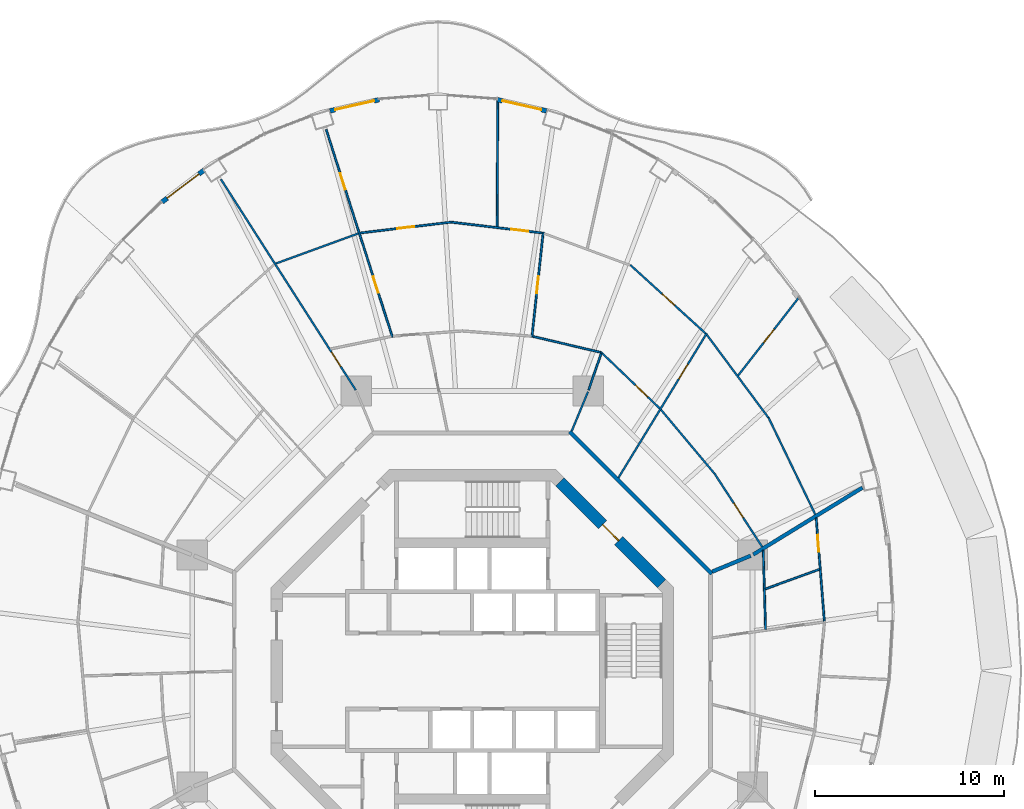
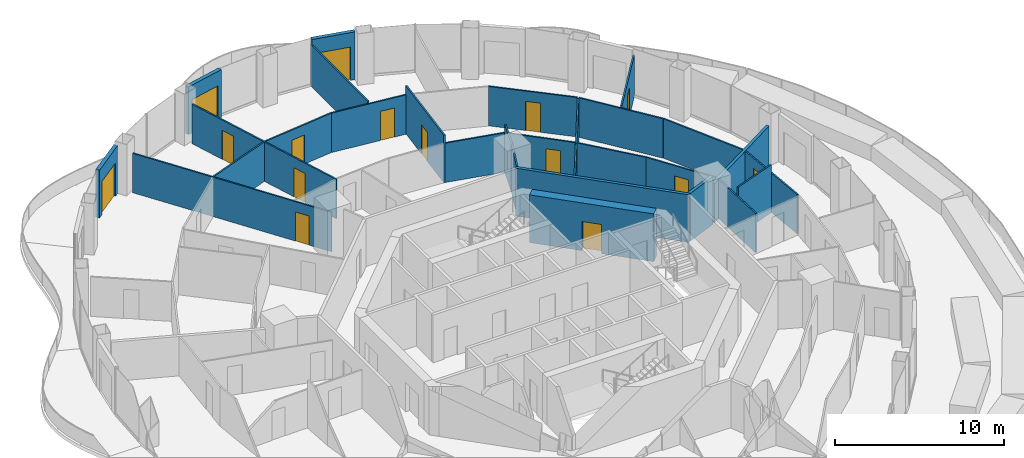
# One storey, part 14 of 18: 28 walls, 16 doors, 16 openings.
"""IFC4 building model written with IfcOpenShell, lengths in metres."""

from ifc_helpers import new_model, si_unit, direction, frame, frame_2d, origin, place, context, subcontext, project, spatial, rectangle, extrude, material, layer, layer_set, type_object, element, fill, save


model = new_model("IFC4")

# Units and contexts
model_context = context("Model", 3, precision=1e-05, world=origin(), true_north=direction((0.0, 1.0)))
body_context = subcontext(model_context, "Body", "Model", "MODEL_VIEW")
ifc_project = project(units=[si_unit("LENGTHUNIT", "METRE"), si_unit("AREAUNIT", "SQUARE_METRE"), si_unit("VOLUMEUNIT", "CUBIC_METRE"), si_unit("PLANEANGLEUNIT", "RADIAN"), si_unit("MASSUNIT", "GRAM", prefix="KILO")], contexts=[model_context])

# Site, building, storey
site_placement = place(None, origin())
site = spatial("IfcSite", under=ifc_project, at=site_placement, CompositionType="ELEMENT")
building_placement = place(site_placement, origin())
building = spatial("IfcBuilding", under=site, at=building_placement, Name="Nagisa Residences", CompositionType="ELEMENT")
storey_placement = place(building_placement, frame((0.0, 0.0, 212.199951171875)))
storey = spatial("IfcBuildingStorey", under=building, at=storey_placement, Name="L53", CompositionType="ELEMENT", Elevation=212.199951171875)

# Walls
ifc_material_1 = material(Name="Gypsum board on steel studs", Category="steel")
ifc_layer_1 = layer(ifc_material_1, 0.199951171875)
ifc_layer_set_1 = layer_set([ifc_layer_1], Name="Apartment compartment wall EI60 200")
wall_type_1 = type_object("IfcWallType", Name="Apartment compartment wall EI60 200", PredefinedType="PARTITIONING", material=ifc_layer_set_1)
wall_1_placement = place(storey_placement, frame((12.6572265625, 5.24267578125, 0.0), z_axis=(0.0, 0.0, 1.0), x_axis=(0.92383017907, 0.382802560388, 0.0)))
element("IfcWall", 1, at=wall_1_placement, inside=storey, type_object=wall_type_1, Name="wall:L53:u00", PredefinedType="PARTITIONING", context=body_context, shape_type="SweptSolid", body=[
    extrude(rectangle(XDim=2.2001953125, YDim=0.199951171875, at=frame_2d((1.10009765625, 0.0))), origin(), (0.0, 0.0, 1.0), 3.43994140625),
])
wall_2_placement = place(storey_placement, frame((14.82470703125, 6.149169921875, 0.0), z_axis=(0.0, 0.0, 1.0), x_axis=(0.852781365284, 0.522268075824, 0.0)))
element("IfcWall", 2, at=wall_2_placement, inside=storey, type_object=wall_type_1, Name="wall:L53:u01", PredefinedType="PARTITIONING", context=body_context, shape_type="SweptSolid", body=[
    extrude(rectangle(XDim=6.758056640625, YDim=0.199951171875, at=frame_2d((3.37890625, 0.0))), origin(), (0.0, 0.0, 1.0), 2.837158203125),
])
ifc_material_2 = material(Name="Gypsum board on steel studs", Category="steel")
ifc_layer_2 = layer(ifc_material_2, 0.199951171875)
ifc_layer_set_2 = layer_set([ifc_layer_2], Name="Apartment entry wall EI60 200")
wall_type_2 = type_object("IfcWallType", Name="Apartment entry wall EI60 200", PredefinedType="PARTITIONING", material=ifc_layer_set_2)
wall_3_placement = place(storey_placement, frame((12.635498046875, 5.1337890625, 0.0), z_axis=(0.0, 0.0, 1.0), x_axis=(-0.707106781187, 0.707106781187, 0.0)))
element("IfcWall", 3, at=wall_3_placement, inside=storey, type_object=wall_type_2, Name="wall:L53:u09", PredefinedType="PARTITIONING", context=body_context, shape_type="SweptSolid", body=[
    extrude(rectangle(XDim=10.609130859375, YDim=0.199951171875, at=frame_2d((5.3046875, 0.0))), origin(), (0.0, 0.0, 1.0), 3.43994140625),
])
ifc_material_3 = material(Name="Gypsum board on steel studs", Category="steel")
ifc_layer_3 = layer(ifc_material_3, 0.10009765625)
ifc_layer_set_3 = layer_set([ifc_layer_3], Name="Apartment partition 100")
wall_type_3 = type_object("IfcWallType", Name="Apartment partition 100", PredefinedType="PARTITIONING", material=ifc_layer_set_3)
wall_4_placement = place(storey_placement, frame((15.474853515625, 2.19970703125, 0.0), z_axis=(0.0, 0.0, 1.0), x_axis=(-0.029254623973, 0.999571991893, 0.0)))
element("IfcWall", 4, at=wall_4_placement, inside=storey, type_object=wall_type_3, Name="wall:L53:u17", PredefinedType="PARTITIONING", context=body_context, shape_type="SweptSolid", body=[
    extrude(rectangle(XDim=4.172607421875, YDim=0.10009765625, at=frame_2d((2.08642578125, 0.0))), origin(), (0.0, 0.0, 1.0), 2.837158203125),
])

# Wall, opening, door
wall_5_placement = place(storey_placement, frame((18.578125, 2.64208984375, 0.0), z_axis=(0.0, 0.0, 1.0), x_axis=(-0.079188322924, 0.996859673932, 0.0)))
wall_5 = element("IfcWall", 5, at=wall_5_placement, inside=storey, type_object=wall_type_3, Name="wall:L53:u18", PredefinedType="PARTITIONING", context=body_context, shape_type="SweptSolid", body=[
    extrude(rectangle(XDim=5.453857421875, YDim=0.10009765625, at=frame_2d((2.72705078125, 0.0))), origin(), (0.0, 0.0, 1.0), 2.837158203125),
])
opening_1_placement = place(wall_5_placement, frame((3.653076171875, 0.0, 0.0)))
opening_1 = element("IfcOpeningElement", 6, at=opening_1_placement, cuts=wall_5, Name="Opening L53-U48", PredefinedType="OPENING", context=body_context, shape_type="SweptSolid", body=[
    extrude(rectangle(XDim=0.89990234375, YDim=2.10009765625, at=frame_2d((0.449951171875, 1.050048828125))), frame((0.0, 0.06005859375, 0.0), z_axis=(0.0, -1.0, 0.0), x_axis=(1.0, 0.0, 0.0)), (0.0, 0.0, 1.0), 0.1201171875),
])
ifc_material_4 = material(Name="Timber door set", Category="wood")
door_type_1 = type_object("IfcDoorType", Name="Apartment door 900x2100", OperationType="NOTDEFINED", PredefinedType="DOOR", material=ifc_material_4)
door_1_placement = place(opening_1_placement, origin())
door_1 = element("IfcDoor", 7, at=door_1_placement, inside=storey, type_object=door_type_1, Name="Door to en-suite bathroom, Apartment 53D", OperationType="SINGLE_SWING_RIGHT", OverallHeight=2.10009765625, OverallWidth=0.89990234375, PredefinedType="DOOR", context=body_context, shape_type="SweptSolid", body=[
    extrude(rectangle(XDim=0.89990234375, YDim=2.10009765625, at=frame_2d((0.449951171875, 1.050048828125))), frame((0.0, 0.02490234375, 0.0), z_axis=(0.0, -1.0, 0.0), x_axis=(1.0, 0.0, 0.0)), (0.0, 0.0, 1.0), 0.050048828125),
])
fill(opening_1, door_1)

# Wall
wall_6_placement = place(storey_placement, frame((15.4599609375, 4.327392578125, 0.0), z_axis=(0.0, 0.0, 1.0), x_axis=(0.939452643938, 0.342678755977, 0.0)))
element("IfcWall", 8, at=wall_6_placement, inside=storey, type_object=wall_type_3, Name="wall:L53:u20", PredefinedType="PARTITIONING", context=body_context, shape_type="SweptSolid", body=[
    extrude(rectangle(XDim=3.037109375, YDim=0.10009765625, at=frame_2d((1.5185546875, 0.0))), origin(), (0.0, 0.0, 1.0), 3.43994140625),
])

# Wall, opening, door
wall_7_placement = place(storey_placement, frame((15.295166015625, 6.554443359375, 0.0), z_axis=(0.0, 0.0, 1.0), x_axis=(-0.545186120363, 0.838315032767, 0.0)))
wall_7 = element("IfcWall", 9, at=wall_7_placement, inside=storey, type_object=wall_type_3, Name="wall:L53:u21", PredefinedType="PARTITIONING", context=body_context, shape_type="SweptSolid", body=[
    extrude(rectangle(XDim=4.642578125, YDim=0.10009765625, at=frame_2d((2.3212890625, 0.0))), origin(), (0.0, 0.0, 1.0), 2.837158203125),
])
opening_2_placement = place(wall_7_placement, frame((1.84619140625, 0.0, 0.0)))
opening_2 = element("IfcOpeningElement", 10, at=opening_2_placement, cuts=wall_7, Name="Opening L53-U19", PredefinedType="OPENING", context=body_context, shape_type="SweptSolid", body=[
    extrude(rectangle(XDim=0.89990234375, YDim=2.10009765625, at=frame_2d((0.449951171875, 1.050048828125))), frame((0.0, 0.06005859375, 0.0), z_axis=(0.0, -1.0, 0.0), x_axis=(1.0, 0.0, 0.0)), (0.0, 0.0, 1.0), 0.1201171875),
])
door_2_placement = place(opening_2_placement, origin())
door_2 = element("IfcDoor", 11, at=door_2_placement, inside=storey, type_object=door_type_1, Name="Door to store, Apartment 53A", OperationType="SINGLE_SWING_LEFT", OverallHeight=2.10009765625, OverallWidth=0.89990234375, PredefinedType="DOOR", context=body_context, shape_type="SweptSolid", body=[
    extrude(rectangle(XDim=0.89990234375, YDim=2.10009765625, at=frame_2d((0.449951171875, 1.050048828125))), frame((0.0, 0.02490234375, 0.0), z_axis=(0.0, -1.0, 0.0), x_axis=(1.0, 0.0, 0.0)), (0.0, 0.0, 1.0), 0.050048828125),
])
fill(opening_2, door_2)

# Walls
wall_8_placement = place(storey_placement, frame((18.094970703125, 8.2685546875, 0.0), z_axis=(0.0, 0.0, 1.0), x_axis=(-0.434640773561, 0.900603907363, 0.0)))
element("IfcWall", 12, at=wall_8_placement, inside=storey, type_object=wall_type_3, Name="wall:L53:u22", PredefinedType="PARTITIONING", context=body_context, shape_type="SweptSolid", body=[
    extrude(rectangle(XDim=5.67431640625, YDim=0.10009765625, at=frame_2d((2.837158203125, 0.0))), origin(), (0.0, 0.0, 1.0), 2.837158203125),
])
wall_9_placement = place(storey_placement, frame((12.75927734375, 10.442626953125, 0.0), z_axis=(0.0, 0.0, 1.0), x_axis=(-0.642225196965, 0.766516011825, 0.0)))
element("IfcWall", 13, at=wall_9_placement, inside=storey, type_object=wall_type_3, Name="wall:L53:u23", PredefinedType="PARTITIONING", context=body_context, shape_type="SweptSolid", body=[
    extrude(rectangle(XDim=4.360595703125, YDim=0.10009765625, at=frame_2d((2.18017578125, 0.0))), origin(), (0.0, 0.0, 1.0), 2.837158203125),
])
wall_10_placement = place(storey_placement, frame((15.62060546875, 13.3740234375, 0.0), z_axis=(0.0, 0.0, 1.0), x_axis=(-0.596174489482, 0.8028548923, 0.0)))
element("IfcWall", 14, at=wall_10_placement, inside=storey, type_object=wall_type_3, Name="wall:L53:u24", PredefinedType="PARTITIONING", context=body_context, shape_type="SweptSolid", body=[
    extrude(rectangle(XDim=5.44189453125, YDim=0.10009765625, at=frame_2d((2.720947265625, 0.0))), origin(), (0.0, 0.0, 1.0), 2.837158203125),
])

# Wall, opening, door
wall_11_placement = place(storey_placement, frame((14.029052734375, 15.597900390625, 0.0), z_axis=(0.0, 0.0, 1.0), x_axis=(0.614558710688, 0.788871086501, 0.0)))
wall_11 = element("IfcWall", 15, at=wall_11_placement, inside=storey, type_object=wall_type_3, Name="wall:L53:u25", PredefinedType="PARTITIONING", context=body_context, shape_type="SweptSolid", body=[
    extrude(rectangle(XDim=5.276123046875, YDim=0.10009765625, at=frame_2d((2.63818359375, 0.0))), origin(), (0.0, 0.0, 1.0), 2.983154296875),
])
opening_3_placement = place(wall_11_placement, frame((2.18798828125, 0.0, 0.0)))
opening_3 = element("IfcOpeningElement", 16, at=opening_3_placement, cuts=wall_11, Name="Opening L53-U18", PredefinedType="OPENING", context=body_context, shape_type="SweptSolid", body=[
    extrude(rectangle(XDim=0.89990234375, YDim=2.10009765625, at=frame_2d((0.449951171875, 1.050048828125))), frame((0.0, 0.06005859375, 0.0), z_axis=(0.0, -1.0, 0.0), x_axis=(1.0, 0.0, 0.0)), (0.0, 0.0, 1.0), 0.1201171875),
])
door_3_placement = place(opening_3_placement, frame((0.89990234375, 0.0, 0.0), x_axis=(-1.0, 0.0, 0.0)))
door_3 = element("IfcDoor", 17, at=door_3_placement, inside=storey, type_object=door_type_1, Name="Door to master bedroom, Apartment 53A", OperationType="SINGLE_SWING_LEFT", OverallHeight=2.10009765625, OverallWidth=0.89990234375, PredefinedType="DOOR", context=body_context, shape_type="SweptSolid", body=[
    extrude(rectangle(XDim=0.89990234375, YDim=2.10009765625, at=frame_2d((0.449951171875, 1.050048828125))), frame((0.0, 0.02490234375, 0.0), z_axis=(0.0, -1.0, 0.0), x_axis=(1.0, 0.0, 0.0)), (0.0, 0.0, 1.0), 0.050048828125),
])
fill(opening_3, door_3)

wall_12_placement = place(storey_placement, frame((7.7099609375, 10.19677734375, 0.0), z_axis=(0.0, 0.0, 1.0), x_axis=(0.521477621335, 0.853264959111, 0.0)))
wall_12 = element("IfcWall", 18, at=wall_12_placement, inside=storey, type_object=wall_type_3, Name="wall:L53:u26", PredefinedType="PARTITIONING", context=body_context, shape_type="SweptSolid", body=[
    extrude(rectangle(XDim=8.941162109375, YDim=0.10009765625, at=frame_2d((4.470703125, 0.0))), origin(), (0.0, 0.0, 1.0), 2.761962890625),
])
opening_4_placement = place(wall_12_placement, frame((6.120849609375, 0.0, 0.0)))
opening_4 = element("IfcOpeningElement", 19, at=opening_4_placement, cuts=wall_12, Name="Opening L53-U17", PredefinedType="OPENING", context=body_context, shape_type="SweptSolid", body=[
    extrude(rectangle(XDim=0.89990234375, YDim=2.10009765625, at=frame_2d((0.449951171875, 1.050048828125))), frame((0.0, 0.06005859375, 0.0), z_axis=(0.0, -1.0, 0.0), x_axis=(1.0, 0.0, 0.0)), (0.0, 0.0, 1.0), 0.1201171875),
])
door_4_placement = place(opening_4_placement, frame((0.89990234375, 0.0, 0.0), x_axis=(-1.0, 0.0, 0.0)))
door_4 = element("IfcDoor", 20, at=door_4_placement, inside=storey, type_object=door_type_1, Name="Door to kitchen, Apartment 53A", OperationType="SINGLE_SWING_RIGHT", OverallHeight=2.10009765625, OverallWidth=0.89990234375, PredefinedType="DOOR", context=body_context, shape_type="SweptSolid", body=[
    extrude(rectangle(XDim=0.89990234375, YDim=2.10009765625, at=frame_2d((0.449951171875, 1.050048828125))), frame((0.0, 0.02490234375, 0.0), z_axis=(0.0, -1.0, 0.0), x_axis=(1.0, 0.0, 0.0)), (0.0, 0.0, 1.0), 0.050048828125),
])
fill(opening_4, door_4)

wall_13_placement = place(storey_placement, frame((9.890380859375, 13.858154296875, 0.0), z_axis=(0.0, 0.0, 1.0), x_axis=(-0.72167233993, 0.692234811159, 0.0)))
wall_13 = element("IfcWall", 21, at=wall_13_placement, inside=storey, type_object=wall_type_3, Name="wall:L53:u27", PredefinedType="PARTITIONING", context=body_context, shape_type="SweptSolid", body=[
    extrude(rectangle(XDim=4.312744140625, YDim=0.10009765625, at=frame_2d((2.15625, 0.0))), origin(), (0.0, 0.0, 1.0), 2.837158203125),
])
opening_5_placement = place(wall_13_placement, frame((0.882568359375, 0.0, 0.0)))
opening_5 = element("IfcOpeningElement", 22, at=opening_5_placement, cuts=wall_13, Name="Opening L53-U16", PredefinedType="OPENING", context=body_context, shape_type="SweptSolid", body=[
    extrude(rectangle(XDim=0.89990234375, YDim=2.10009765625, at=frame_2d((0.449951171875, 1.050048828125))), frame((0.0, 0.06005859375, 0.0), z_axis=(0.0, -1.0, 0.0), x_axis=(1.0, 0.0, 0.0)), (0.0, 0.0, 1.0), 0.1201171875),
])
door_5_placement = place(opening_5_placement, origin())
door_5 = element("IfcDoor", 23, at=door_5_placement, inside=storey, type_object=door_type_1, Name="Door to laundry, Apartment 53A", OperationType="SINGLE_SWING_RIGHT", OverallHeight=2.10009765625, OverallWidth=0.89990234375, PredefinedType="DOOR", context=body_context, shape_type="SweptSolid", body=[
    extrude(rectangle(XDim=0.89990234375, YDim=2.10009765625, at=frame_2d((0.449951171875, 1.050048828125))), frame((0.0, 0.02490234375, 0.0), z_axis=(0.0, -1.0, 0.0), x_axis=(1.0, 0.0, 0.0)), (0.0, 0.0, 1.0), 0.050048828125),
])
fill(opening_5, door_5)

wall_14_placement = place(storey_placement, frame((12.3095703125, 17.81689453125, 0.0), z_axis=(0.0, 0.0, 1.0), x_axis=(-0.739697052892, 0.672940019573, 0.0)))
wall_14 = element("IfcWall", 24, at=wall_14_placement, inside=storey, type_object=wall_type_3, Name="wall:L53:u28", PredefinedType="PARTITIONING", context=body_context, shape_type="SweptSolid", body=[
    extrude(rectangle(XDim=5.364990234375, YDim=0.10009765625, at=frame_2d((2.6826171875, 0.0))), origin(), (0.0, 0.0, 1.0), 2.837158203125),
])
opening_6_placement = place(wall_14_placement, frame((2.20751953125, 0.0, 0.0)))
opening_6 = element("IfcOpeningElement", 25, at=opening_6_placement, cuts=wall_14, Name="Opening L53-U15", PredefinedType="OPENING", context=body_context, shape_type="SweptSolid", body=[
    extrude(rectangle(XDim=0.89990234375, YDim=2.10009765625, at=frame_2d((0.449951171875, 1.050048828125))), frame((0.0, 0.06005859375, 0.0), z_axis=(0.0, -1.0, 0.0), x_axis=(1.0, 0.0, 0.0)), (0.0, 0.0, 1.0), 0.1201171875),
])
door_6_placement = place(opening_6_placement, frame((0.89990234375, 0.0, 0.0), x_axis=(-1.0, 0.0, 0.0)))
door_6 = element("IfcDoor", 26, at=door_6_placement, inside=storey, type_object=door_type_1, Name="Door to living room, Apartment 53A", OperationType="SINGLE_SWING_RIGHT", OverallHeight=2.10009765625, OverallWidth=0.89990234375, PredefinedType="DOOR", context=body_context, shape_type="SweptSolid", body=[
    extrude(rectangle(XDim=0.89990234375, YDim=2.10009765625, at=frame_2d((0.449951171875, 1.050048828125))), frame((0.0, 0.02490234375, 0.0), z_axis=(0.0, -1.0, 0.0), x_axis=(1.0, 0.0, 0.0)), (0.0, 0.0, 1.0), 0.050048828125),
])
fill(opening_6, door_6)

# Walls
wall_15_placement = place(storey_placement, frame((5.24267578125, 12.6572265625, 0.0), z_axis=(0.0, 0.0, 1.0), x_axis=(0.382719158442, 0.923864733477, 0.0)))
element("IfcWall", 27, at=wall_15_placement, inside=storey, type_object=wall_type_3, Name="wall:L53:u29", PredefinedType="PARTITIONING", context=body_context, shape_type="SweptSolid", body=[
    extrude(rectangle(XDim=2.25, YDim=0.10009765625, at=frame_2d((1.125, 0.0))), origin(), (0.0, 0.0, 1.0), 3.43994140625),
])
wall_16_placement = place(storey_placement, frame((6.13916015625, 14.829345703125, 0.0), z_axis=(0.0, 0.0, 1.0), x_axis=(0.32278593828, 0.946471995385, 0.0)))
element("IfcWall", 28, at=wall_16_placement, inside=storey, type_object=wall_type_3, Name="wall:L53:u30", PredefinedType="PARTITIONING", context=body_context, shape_type="SweptSolid", body=[
    extrude(rectangle(XDim=2.04150390625, YDim=0.10009765625, at=frame_2d((1.020751953125, 0.0))), origin(), (0.0, 0.0, 1.0), 3.43994140625),
])
wall_17_placement = place(storey_placement, frame((6.765625, 16.8203125, 0.0), z_axis=(0.0, 0.0, 1.0), x_axis=(-0.973612608559, 0.22820711745, 0.0)))
element("IfcWall", 29, at=wall_17_placement, inside=storey, type_object=wall_type_3, Name="wall:L53:u31", PredefinedType="PARTITIONING", context=body_context, shape_type="SweptSolid", body=[
    extrude(rectangle(XDim=3.6630859375, YDim=0.10009765625, at=frame_2d((1.83154296875, 0.0))), origin(), (0.0, 0.0, 1.0), 2.837158203125),
])

# Wall, opening, door
wall_18_placement = place(storey_placement, frame((3.145263671875, 17.617919921875, 0.0), z_axis=(0.0, 0.0, 1.0), x_axis=(0.106820754108, 0.994278294288, 0.0)))
wall_18 = element("IfcWall", 30, at=wall_18_placement, inside=storey, type_object=wall_type_3, Name="wall:L53:u34", PredefinedType="PARTITIONING", context=body_context, shape_type="SweptSolid", body=[
    extrude(rectangle(XDim=5.574462890625, YDim=0.10009765625, at=frame_2d((2.787109375, 0.0))), origin(), (0.0, 0.0, 1.0), 3.43994140625),
])
opening_7_placement = place(wall_18_placement, frame((2.337158203125, 0.0, 0.0)))
opening_7 = element("IfcOpeningElement", 31, at=opening_7_placement, cuts=wall_18, Name="Opening L53-U14", PredefinedType="OPENING", context=body_context, shape_type="SweptSolid", body=[
    extrude(rectangle(XDim=0.89990234375, YDim=2.10009765625, at=frame_2d((0.449951171875, 1.050048828125))), frame((0.0, 0.06005859375, 0.0), z_axis=(0.0, -1.0, 0.0), x_axis=(1.0, 0.0, 0.0)), (0.0, 0.0, 1.0), 0.1201171875),
])
door_7_placement = place(opening_7_placement, frame((0.89990234375, 0.0, 0.0), x_axis=(-1.0, 0.0, 0.0)))
door_7 = element("IfcDoor", 32, at=door_7_placement, inside=storey, type_object=door_type_1, Name="Door to dining room, Apartment 53A", OperationType="SINGLE_SWING_LEFT", OverallHeight=2.10009765625, OverallWidth=0.89990234375, PredefinedType="DOOR", context=body_context, shape_type="SweptSolid", body=[
    extrude(rectangle(XDim=0.89990234375, YDim=2.10009765625, at=frame_2d((0.449951171875, 1.050048828125))), frame((0.0, 0.02490234375, 0.0), z_axis=(0.0, -1.0, 0.0), x_axis=(1.0, 0.0, 0.0)), (0.0, 0.0, 1.0), 0.050048828125),
])
fill(opening_7, door_7)

wall_19_placement = place(storey_placement, frame((3.685791015625, 23.11669921875, 0.0), z_axis=(0.0, 0.0, 1.0), x_axis=(-0.992965872314, 0.11840091393, 0.0)))
wall_19 = element("IfcWall", 33, at=wall_19_placement, inside=storey, type_object=wall_type_3, Name="wall:L53:u36", PredefinedType="PARTITIONING", context=body_context, shape_type="SweptSolid", body=[
    extrude(rectangle(XDim=4.785888671875, YDim=0.10009765625, at=frame_2d((2.39306640625, 0.0))), origin(), (0.0, 0.0, 1.0), 2.837158203125),
])
opening_8_placement = place(wall_19_placement, frame((0.746337890625, 0.0, 0.0)))
opening_8 = element("IfcOpeningElement", 34, at=opening_8_placement, cuts=wall_19, Name="Opening L53-U08", PredefinedType="OPENING", context=body_context, shape_type="SweptSolid", body=[
    extrude(rectangle(XDim=0.89990234375, YDim=2.10009765625, at=frame_2d((0.449951171875, 1.050048828125))), frame((0.0, 0.06005859375, 0.0), z_axis=(0.0, -1.0, 0.0), x_axis=(1.0, 0.0, 0.0)), (0.0, 0.0, 1.0), 0.1201171875),
])
door_8_placement = place(opening_8_placement, frame((0.89990234375, 0.0, 0.0), x_axis=(-1.0, 0.0, 0.0)))
door_8 = element("IfcDoor", 35, at=door_8_placement, inside=storey, type_object=door_type_1, Name="Door to master bedroom, Apartment 53A", OperationType="SINGLE_SWING_LEFT", OverallHeight=2.10009765625, OverallWidth=0.89990234375, PredefinedType="DOOR", context=body_context, shape_type="SweptSolid", body=[
    extrude(rectangle(XDim=0.89990234375, YDim=2.10009765625, at=frame_2d((0.449951171875, 1.050048828125))), frame((0.0, 0.02490234375, 0.0), z_axis=(0.0, -1.0, 0.0), x_axis=(1.0, 0.0, 0.0)), (0.0, 0.0, 1.0), 0.050048828125),
])
fill(opening_8, door_8)

# Wall
wall_20_placement = place(storey_placement, frame((1.309814453125, 23.449951171875, 0.0), z_axis=(0.0, 0.0, 1.0), x_axis=(0.004678732305, 0.999989054672, 0.0)))
element("IfcWall", 36, at=wall_20_placement, inside=storey, type_object=wall_type_3, Name="wall:L53:u37", PredefinedType="PARTITIONING", context=body_context, shape_type="SweptSolid", body=[
    extrude(rectangle(XDim=6.783447265625, YDim=0.10009765625, at=frame_2d((3.3916015625, 0.0))), origin(), (0.0, 0.0, 1.0), 2.983154296875),
])

# Wall, opening, door
wall_21_placement = place(storey_placement, frame((-1.06640625, 23.6953125, 0.0), z_axis=(0.0, 0.0, 1.0), x_axis=(-0.992962413335, -0.118429918957, 0.0)))
wall_21 = element("IfcWall", 37, at=wall_21_placement, inside=storey, type_object=wall_type_3, Name="wall:L53:u39", PredefinedType="PARTITIONING", context=body_context, shape_type="SweptSolid", body=[
    extrude(rectangle(XDim=4.8857421875, YDim=0.10009765625, at=frame_2d((2.44287109375, 0.0))), origin(), (0.0, 0.0, 1.0), 2.837158203125),
])
opening_9_placement = place(wall_21_placement, frame((2.017822265625, 0.0, 0.0)))
opening_9 = element("IfcOpeningElement", 38, at=opening_9_placement, cuts=wall_21, Name="Opening L53-U09", PredefinedType="OPENING", context=body_context, shape_type="SweptSolid", body=[
    extrude(rectangle(XDim=0.89990234375, YDim=2.10009765625, at=frame_2d((0.449951171875, 1.050048828125))), frame((0.0, 0.06005859375, 0.0), z_axis=(0.0, -1.0, 0.0), x_axis=(1.0, 0.0, 0.0)), (0.0, 0.0, 1.0), 0.1201171875),
])
door_9_placement = place(opening_9_placement, frame((0.89990234375, 0.0, 0.0), x_axis=(-1.0, 0.0, 0.0)))
door_9 = element("IfcDoor", 39, at=door_9_placement, inside=storey, type_object=door_type_1, Name="Door to family room, Apartment 53A", OperationType="SINGLE_SWING_RIGHT", OverallHeight=2.10009765625, OverallWidth=0.89990234375, PredefinedType="DOOR", context=body_context, shape_type="SweptSolid", body=[
    extrude(rectangle(XDim=0.89990234375, YDim=2.10009765625, at=frame_2d((0.449951171875, 1.050048828125))), frame((0.0, 0.02490234375, 0.0), z_axis=(0.0, -1.0, 0.0), x_axis=(1.0, 0.0, 0.0)), (0.0, 0.0, 1.0), 0.050048828125),
])
fill(opening_9, door_9)

# Wall, openings, doors
wall_22_placement = place(storey_placement, frame((-4.21533203125, 17.6201171875, 0.0), z_axis=(0.0, 0.0, 1.0), x_axis=(-0.303985237897, 0.952676742206, 0.0)))
wall_22 = element("IfcWall", 40, at=wall_22_placement, inside=storey, type_object=wall_type_3, Name="wall:L53:u41", PredefinedType="PARTITIONING", context=body_context, shape_type="SweptSolid", body=[
    extrude(rectangle(XDim=11.499267578125, YDim=0.10009765625, at=frame_2d((5.74951171875, 0.0))), origin(), (0.0, 0.0, 1.0), 2.837158203125),
])
opening_10_placement = place(wall_22_placement, frame((2.456787109375, 0.0, 0.0)))
opening_10 = element("IfcOpeningElement", 41, at=opening_10_placement, cuts=wall_22, Name="Opening L53-U05", PredefinedType="OPENING", context=body_context, shape_type="SweptSolid", body=[
    extrude(rectangle(XDim=0.89990234375, YDim=2.10009765625, at=frame_2d((0.449951171875, 1.050048828125))), frame((0.0, 0.06005859375, 0.0), z_axis=(0.0, -1.0, 0.0), x_axis=(1.0, 0.0, 0.0)), (0.0, 0.0, 1.0), 0.1201171875),
])
opening_11_placement = place(wall_22_placement, frame((8.181396484375, 0.0, 0.0)))
opening_11 = element("IfcOpeningElement", 42, at=opening_11_placement, cuts=wall_22, Name="Opening L53-U10", PredefinedType="OPENING", context=body_context, shape_type="SweptSolid", body=[
    extrude(rectangle(XDim=0.89990234375, YDim=2.10009765625, at=frame_2d((0.449951171875, 1.050048828125))), frame((0.0, 0.06005859375, 0.0), z_axis=(0.0, -1.0, 0.0), x_axis=(1.0, 0.0, 0.0)), (0.0, 0.0, 1.0), 0.1201171875),
])
door_10_placement = place(opening_10_placement, origin())
door_10 = element("IfcDoor", 43, at=door_10_placement, inside=storey, type_object=door_type_1, Name="Door to dining room, Apartment 53A", OperationType="SINGLE_SWING_LEFT", OverallHeight=2.10009765625, OverallWidth=0.89990234375, PredefinedType="DOOR", context=body_context, shape_type="SweptSolid", body=[
    extrude(rectangle(XDim=0.89990234375, YDim=2.10009765625, at=frame_2d((0.449951171875, 1.050048828125))), frame((0.0, 0.02490234375, 0.0), z_axis=(0.0, -1.0, 0.0), x_axis=(1.0, 0.0, 0.0)), (0.0, 0.0, 1.0), 0.050048828125),
])
fill(opening_10, door_10)
door_11_placement = place(opening_11_placement, origin())
door_11 = element("IfcDoor", 44, at=door_11_placement, inside=storey, type_object=door_type_1, Name="Door to tatami room, Apartment 53A", OperationType="SINGLE_SWING_RIGHT", OverallHeight=2.10009765625, OverallWidth=0.89990234375, PredefinedType="DOOR", context=body_context, shape_type="SweptSolid", body=[
    extrude(rectangle(XDim=0.89990234375, YDim=2.10009765625, at=frame_2d((0.449951171875, 1.050048828125))), frame((0.0, 0.02490234375, 0.0), z_axis=(0.0, -1.0, 0.0), x_axis=(1.0, 0.0, 0.0)), (0.0, 0.0, 1.0), 0.050048828125),
])
fill(opening_11, door_11)

# Wall
wall_23_placement = place(storey_placement, frame((-6.01416015625, 23.093505859375, 0.0), z_axis=(0.0, 0.0, 1.0), x_axis=(-0.939417400947, -0.342775359089, 0.0)))
element("IfcWall", 45, at=wall_23_placement, inside=storey, type_object=wall_type_3, Name="wall:L53:u43", PredefinedType="PARTITIONING", context=body_context, shape_type="SweptSolid", body=[
    extrude(rectangle(XDim=4.632568359375, YDim=0.10009765625, at=frame_2d((2.31640625, 0.0))), origin(), (0.0, 0.0, 1.0), 2.837158203125),
])

# Wall, opening, door
wall_24_placement = place(storey_placement, frame((-6.14990234375, 14.82421875, 0.0), z_axis=(0.0, 0.0, 1.0), x_axis=(-0.538870687577, 0.842388498301, 0.0)))
wall_24 = element("IfcWall", 46, at=wall_24_placement, inside=storey, type_object=wall_type_3, Name="wall:L53:u45", PredefinedType="PARTITIONING", context=body_context, shape_type="SweptSolid", body=[
    extrude(rectangle(XDim=13.212646484375, YDim=0.10009765625, at=frame_2d((6.6064453125, 0.0))), origin(), (0.0, 0.0, 1.0), 2.837158203125),
])
opening_12_placement = place(wall_24_placement, frame((1.4833984375, 0.0, 0.0)))
opening_12 = element("IfcOpeningElement", 47, at=opening_12_placement, cuts=wall_24, Name="Opening L53-U02", PredefinedType="OPENING", context=body_context, shape_type="SweptSolid", body=[
    extrude(rectangle(XDim=0.89990234375, YDim=2.10009765625, at=frame_2d((0.449951171875, 1.050048828125))), frame((0.0, 0.06005859375, 0.0), z_axis=(0.0, -1.0, 0.0), x_axis=(1.0, 0.0, 0.0)), (0.0, 0.0, 1.0), 0.1201171875),
])
door_12_placement = place(opening_12_placement, frame((0.89990234375, 0.0, 0.0), x_axis=(-1.0, 0.0, 0.0)))
door_12 = element("IfcDoor", 48, at=door_12_placement, inside=storey, type_object=door_type_1, Name="Door to laundry, Apartment 53A", OperationType="SINGLE_SWING_LEFT", OverallHeight=2.10009765625, OverallWidth=0.89990234375, PredefinedType="DOOR", context=body_context, shape_type="SweptSolid", body=[
    extrude(rectangle(XDim=0.89990234375, YDim=2.10009765625, at=frame_2d((0.449951171875, 1.050048828125))), frame((0.0, 0.02490234375, 0.0), z_axis=(0.0, -1.0, 0.0), x_axis=(1.0, 0.0, 0.0)), (0.0, 0.0, 1.0), 0.050048828125),
])
fill(opening_12, door_12)

ifc_material_5 = material(Name="Precast concrete C40/50", Category="concrete")
ifc_layer_4 = layer(ifc_material_5, 0.25)
ifc_layer_set_4 = layer_set([ifc_layer_4], Name="BALCONY DOOR WALL 250")
wall_type_4 = type_object("IfcWallType", Name="BALCONY DOOR WALL 250", PredefinedType="SOLIDWALL", material=ifc_layer_set_4)
wall_25_placement = place(storey_placement, frame((1.314208984375, 30.1513671875, 0.0), z_axis=(0.0, 0.0, 1.0), x_axis=(0.975324089124, -0.220777990694, 0.0)))
wall_25 = element("IfcWall", 49, at=wall_25_placement, inside=storey, type_object=wall_type_4, Name="wall:L53:bay10", PredefinedType="SOLIDWALL", context=body_context, shape_type="SweptSolid", body=[
    extrude(rectangle(XDim=2.666015625, YDim=0.25, at=frame_2d((1.3330078125, 0.0))), origin(), (0.0, 0.0, 1.0), 3.43994140625),
])
opening_13_placement = place(wall_25_placement, frame((0.282958984375, 0.0, 0.0)))
opening_13 = element("IfcOpeningElement", 50, at=opening_13_placement, cuts=wall_25, Name="Opening BD-L53-04", PredefinedType="OPENING", context=body_context, shape_type="SweptSolid", body=[
    extrude(rectangle(XDim=2.10009765625, YDim=2.39990234375, at=frame_2d((1.050048828125, 1.199951171875))), frame((0.0, 0.135009765625, 0.0), z_axis=(0.0, -1.0, 0.0), x_axis=(1.0, 0.0, 0.0)), (0.0, 0.0, 1.0), 0.27001953125),
])
ifc_material_6 = material(Name="Aluminium and clear glass", Category="aluminium")
door_type_2 = type_object("IfcDoorType", Name="BALCONY SLIDING DOOR 2100x2400", OperationType="SLIDING_TO_LEFT", PredefinedType="DOOR", material=ifc_material_6)
door_13_placement = place(opening_13_placement, origin())
door_13 = element("IfcDoor", 51, at=door_13_placement, inside=storey, type_object=door_type_2, Name="door:L53:bay10", OperationType="SLIDING_TO_LEFT", OverallHeight=2.39990234375, OverallWidth=2.10009765625, PredefinedType="DOOR", context=body_context, shape_type="SweptSolid", body=[
    extrude(rectangle(XDim=2.10009765625, YDim=2.39990234375, at=frame_2d((1.050048828125, 1.199951171875))), frame((0.0, 0.02490234375, 0.0), z_axis=(0.0, -1.0, 0.0), x_axis=(1.0, 0.0, 0.0)), (0.0, 0.0, 1.0), 0.050048828125),
])
fill(opening_13, door_13)

wall_26_placement = place(storey_placement, frame((-7.514404296875, 29.562744140625, 0.0), z_axis=(0.0, 0.0, 1.0), x_axis=(0.975324089124, 0.220777990694, 0.0)))
wall_26 = element("IfcWall", 52, at=wall_26_placement, inside=storey, type_object=wall_type_4, Name="wall:L53:bay13", PredefinedType="SOLIDWALL", context=body_context, shape_type="SweptSolid", body=[
    extrude(rectangle(XDim=2.666015625, YDim=0.25, at=frame_2d((1.3330078125, 0.0))), origin(), (0.0, 0.0, 1.0), 3.43994140625),
])
opening_14_placement = place(wall_26_placement, frame((0.282958984375, 0.0, 0.0)))
opening_14 = element("IfcOpeningElement", 53, at=opening_14_placement, cuts=wall_26, Name="Opening BD-L53-05", PredefinedType="OPENING", context=body_context, shape_type="SweptSolid", body=[
    extrude(rectangle(XDim=2.10009765625, YDim=2.39990234375, at=frame_2d((1.050048828125, 1.199951171875))), frame((0.0, 0.135009765625, 0.0), z_axis=(0.0, -1.0, 0.0), x_axis=(1.0, 0.0, 0.0)), (0.0, 0.0, 1.0), 0.27001953125),
])
door_14_placement = place(opening_14_placement, origin())
door_14 = element("IfcDoor", 54, at=door_14_placement, inside=storey, type_object=door_type_2, Name="door:L53:bay13", OperationType="SLIDING_TO_LEFT", OverallHeight=2.39990234375, OverallWidth=2.10009765625, PredefinedType="DOOR", context=body_context, shape_type="SweptSolid", body=[
    extrude(rectangle(XDim=2.10009765625, YDim=2.39990234375, at=frame_2d((1.050048828125, 1.199951171875))), frame((0.0, 0.02490234375, 0.0), z_axis=(0.0, -1.0, 0.0), x_axis=(1.0, 0.0, 0.0)), (0.0, 0.0, 1.0), 0.050048828125),
])
fill(opening_14, door_14)

wall_27_placement = place(storey_placement, frame((-16.377197265625, 24.748046875, 0.0), z_axis=(0.0, 0.0, 1.0), x_axis=(0.795990084031, 0.60530966135, 0.0)))
wall_27 = element("IfcWall", 55, at=wall_27_placement, inside=storey, type_object=wall_type_4, Name="wall:L53:bay16", PredefinedType="SOLIDWALL", context=body_context, shape_type="SweptSolid", body=[
    extrude(rectangle(XDim=2.78857421875, YDim=0.25, at=frame_2d((1.394287109375, 0.0))), origin(), (0.0, 0.0, 1.0), 3.43994140625),
])
opening_15_placement = place(wall_27_placement, frame((0.34423828125, 0.0, 0.0)))
opening_15 = element("IfcOpeningElement", 56, at=opening_15_placement, cuts=wall_27, Name="Opening BD-L53-06", PredefinedType="OPENING", context=body_context, shape_type="SweptSolid", body=[
    extrude(rectangle(XDim=2.10009765625, YDim=2.39990234375, at=frame_2d((1.050048828125, 1.199951171875))), frame((0.0, 0.135009765625, 0.0), z_axis=(0.0, -1.0, 0.0), x_axis=(1.0, 0.0, 0.0)), (0.0, 0.0, 1.0), 0.27001953125),
])
door_15_placement = place(opening_15_placement, origin())
door_15 = element("IfcDoor", 57, at=door_15_placement, inside=storey, type_object=door_type_2, Name="door:L53:bay16", OperationType="SLIDING_TO_LEFT", OverallHeight=2.39990234375, OverallWidth=2.10009765625, PredefinedType="DOOR", context=body_context, shape_type="SweptSolid", body=[
    extrude(rectangle(XDim=2.10009765625, YDim=2.39990234375, at=frame_2d((1.050048828125, 1.199951171875))), frame((0.0, 0.02490234375, 0.0), z_axis=(0.0, -1.0, 0.0), x_axis=(1.0, 0.0, 0.0)), (0.0, 0.0, 1.0), 0.050048828125),
])
fill(opening_15, door_15)

ifc_material_7 = material(Name="Concrete C60", Category="concrete")
ifc_layer_5 = layer(ifc_material_7, 0.60009765625)
ifc_layer_set_5 = layer_set([ifc_layer_5], Name="Core shear wall 600")
wall_type_5 = type_object("IfcWallType", Name="Core shear wall 600", PredefinedType="SHEAR", material=ifc_layer_set_5)
wall_28_placement = place(storey_placement, frame((9.98828125, 4.613037109375, 0.0), z_axis=(0.0, 0.0, 1.0), x_axis=(-0.707106781187, 0.707106781187, 0.0)))
wall_28 = element("IfcWall", 58, at=wall_28_placement, inside=storey, type_object=wall_type_5, Name="wall:L53:core:flat1", PredefinedType="SHEAR", context=body_context, shape_type="SweptSolid", body=[
    extrude(rectangle(XDim=7.601806640625, YDim=0.60009765625, at=frame_2d((3.80078125, 0.0))), origin(), (0.0, 0.0, 1.0), 3.43994140625),
])
opening_16_placement = place(wall_28_placement, frame((3.200927734375, 0.0, 0.0)))
opening_16 = element("IfcOpeningElement", 59, at=opening_16_placement, cuts=wall_28, Name="Opening L53-C18", PredefinedType="OPENING", context=body_context, shape_type="SweptSolid", body=[
    extrude(rectangle(XDim=1.199951171875, YDim=2.10009765625, at=frame_2d((0.60009765625, 1.050048828125))), frame((0.0, 0.31005859375, 0.0), z_axis=(0.0, -1.0, 0.0), x_axis=(1.0, 0.0, 0.0)), (0.0, 0.0, 1.0), 0.6201171875),
])
ifc_material_8 = material(Name="Steel fire door", Category="steel")
door_type_3 = type_object("IfcDoorType", Name="Fire door EI60 1200x2100 single swing", OperationType="NOTDEFINED", PredefinedType="DOOR", material=ifc_material_8)
door_16_placement = place(opening_16_placement, origin())
door_16 = element("IfcDoor", 60, at=door_16_placement, inside=storey, type_object=door_type_3, Name="Firefighting lobby 1 door L53", OperationType="SINGLE_SWING_LEFT", OverallHeight=2.10009765625, OverallWidth=1.199951171875, PredefinedType="DOOR", context=body_context, shape_type="SweptSolid", body=[
    extrude(rectangle(XDim=1.199951171875, YDim=2.10009765625, at=frame_2d((0.60009765625, 1.050048828125))), frame((0.0, 0.02490234375, 0.0), z_axis=(0.0, -1.0, 0.0), x_axis=(1.0, 0.0, 0.0)), (0.0, 0.0, 1.0), 0.050048828125),
])
fill(opening_16, door_16)

save(model, "model.ifc")
